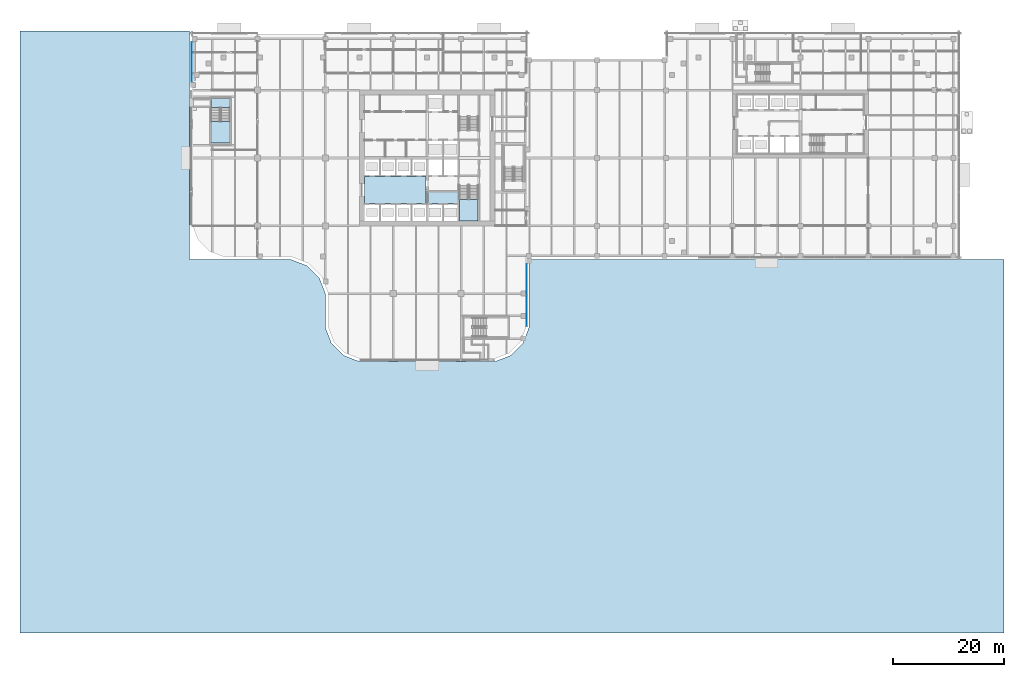
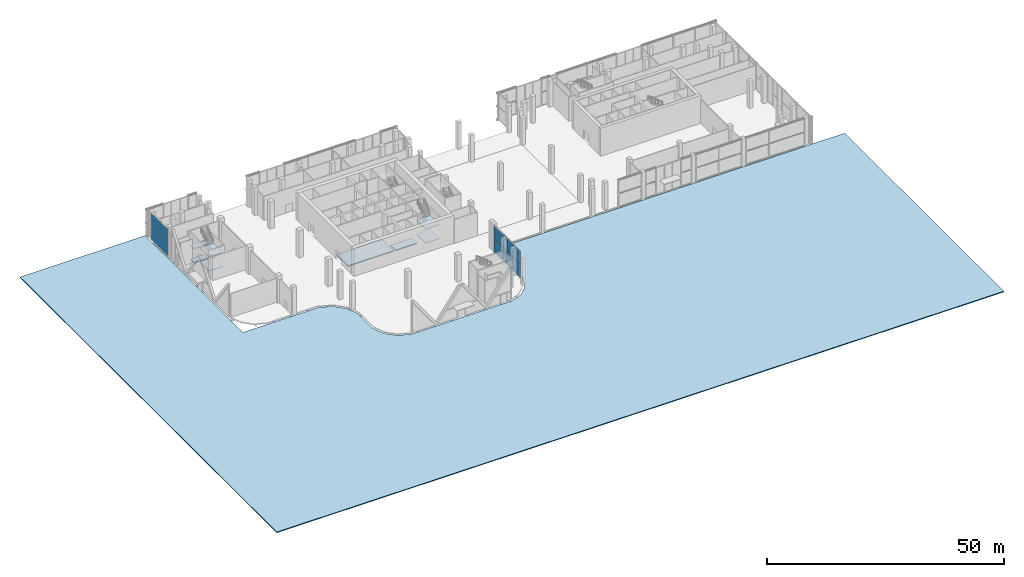
# One storey, part 13 of 36: 9 slabs, 6 plates, 4 elements without a shape of their own.
"""IFC4 building model written with IfcOpenShell, lengths in metres."""

import ifcopenshell
import ifcopenshell.guid

model = None  # the IFC model being written
_history = None  # IfcOwnerHistory: only IFC2X3 demands one
_inside = {}  # id of a spatial element -> (the spatial element, [elements in it])
_under = {}  # id of a project, library or spatial element -> (it, [spatial elements below it])
_declared = {}  # id of a project -> (the project, [libraries it declares])
_typed = {}  # id of a type object -> (the type object, [elements of that type])
_made_of = {}  # id of a material, layer set ... -> (it, [elements and type objects made of it])


def new_model(schema):
    """Start an empty IFC model of exactly this schema.

    Asked for "IFC4X3", IfcOpenShell would pick the latest addendum, in which some entities
    have other attributes; the version numbers below select the first issue.
    IFC2X3 requires an IfcOwnerHistory on every rooted entity: one is made here for all.
    """
    global model, _history
    if schema == "IFC4X3":
        model = ifcopenshell.file(schema_version=(4, 3, 0, 0))
    else:
        model = ifcopenshell.file(schema=schema)
    _inside.clear()
    _under.clear()
    _declared.clear()
    _typed.clear()
    _made_of.clear()
    _history = None
    if model.schema == "IFC2X3":
        org = make("IfcOrganization", Name="unknown")
        user = make(
            "IfcPersonAndOrganization",
            ThePerson=make("IfcPerson", FamilyName="unknown"),
            TheOrganization=org,
        )
        app = make(
            "IfcApplication",
            ApplicationDeveloper=org,
            Version="unknown",
            ApplicationFullName="unknown",
            ApplicationIdentifier="unknown",
        )
        _history = make(
            "IfcOwnerHistory",
            OwningUser=user,
            OwningApplication=app,
            ChangeAction="ADDED",
            CreationDate=0,
        )
    return model


def make(cls, **values):
    """One entity of the class cls with the attributes given. An attribute that is None is left unset."""
    return model.create_entity(
        cls, **{name: value for name, value in values.items() if value is not None}
    )


def rooted(cls, **values):
    """An entity with a GlobalId (a new one), such as an element, a storey or a relation."""
    return make(cls, GlobalId=ifcopenshell.guid.new(), OwnerHistory=_history, **values)


def si_unit(unit_type, name, prefix=None):
    """IfcSIUnit, for example si_unit("LENGTHUNIT", "METRE", prefix="MILLI")."""
    return make("IfcSIUnit", UnitType=unit_type, Prefix=prefix, Name=name)


def assignment(units):
    """IfcUnitAssignment: the units of a project."""
    return None if units is None else make("IfcUnitAssignment", Units=units)


def point(xyz):
    """IfcCartesianPoint."""
    return None if xyz is None else make("IfcCartesianPoint", Coordinates=xyz)


def direction(xyz):
    """IfcDirection."""
    return None if xyz is None else make("IfcDirection", DirectionRatios=xyz)


def frame(location, z_axis=None, x_axis=None):
    """IfcAxis2Placement3D, a coordinate frame: its origin and axes. An axis left out is left unset."""
    return make(
        "IfcAxis2Placement3D",
        Location=point(location),
        Axis=direction(z_axis),
        RefDirection=direction(x_axis),
    )


def frame_2d(location, x_axis=None):
    """IfcAxis2Placement2D, a coordinate frame in the plane: its origin and x axis."""
    return make(
        "IfcAxis2Placement2D", Location=point(location), RefDirection=direction(x_axis)
    )


def origin():
    """The frame at (0, 0, 0) with its axes left unset."""
    return frame((0.0, 0.0, 0.0))


def origin_2d():
    """The frame at (0, 0) in the plane with its x axis left unset."""
    return frame_2d((0.0, 0.0))


def place(relative_to, where):
    """IfcLocalPlacement: puts the frame where relative to a parent placement (None: the world)."""
    return make(
        "IfcLocalPlacement", PlacementRelTo=relative_to, RelativePlacement=where
    )


def context(
    kind, dimensions, precision=None, world=None, true_north=None, identifier=None
):
    """IfcGeometricRepresentationContext, for example the 3D "Model" context."""
    return make(
        "IfcGeometricRepresentationContext",
        ContextIdentifier=identifier,
        ContextType=kind,
        CoordinateSpaceDimension=dimensions,
        Precision=precision,
        WorldCoordinateSystem=world,
        TrueNorth=true_north,
    )


def subcontext(parent, identifier, kind, view, scale=None):
    """IfcGeometricRepresentationSubContext, for example "Body" below "Model"."""
    return make(
        "IfcGeometricRepresentationSubContext",
        ContextIdentifier=identifier,
        ContextType=kind,
        ParentContext=parent,
        TargetScale=scale,
        TargetView=view,
    )


def project(units=None, contexts=None):
    """IfcProject with its units and contexts."""
    return rooted(
        "IfcProject",
        Name="project",
        RepresentationContexts=contexts,
        UnitsInContext=assignment(units),
    )


def spatial(cls, under=None, at=None, **own):
    """A site, building, storey or space (cls), placed at a placement, below another one or the project."""
    s = rooted(cls, ObjectPlacement=at, **own)
    if under is not None:
        _under.setdefault(under.id(), (under, []))[1].append(s)
    return s


def polyline(points):
    """IfcPolyline through the points."""
    return make("IfcPolyline", Points=[point(p) for p in points])


def profile(cls, at=None, kind="AREA", **sizes):
    """A parametric profile (cls). Its sizes go by their IFC names, for example OverallWidth=200.0."""
    return make(cls, ProfileType=kind, Position=at, **sizes)


def rectangle(**sizes):
    """IfcRectangleProfileDef."""
    return profile("IfcRectangleProfileDef", **sizes)


def outline(outer, holes=None, kind="AREA"):
    """IfcArbitraryClosedProfileDef: a profile drawn as a closed curve; with holes, ...WithVoids."""
    if holes is None:
        return make("IfcArbitraryClosedProfileDef", ProfileType=kind, OuterCurve=outer)
    return make(
        "IfcArbitraryProfileDefWithVoids",
        ProfileType=kind,
        OuterCurve=outer,
        InnerCurves=holes,
    )


def extrude(swept, where, along, depth):
    """IfcExtrudedAreaSolid: the profile swept, set in the frame where, extruded along a direction by depth."""
    return make(
        "IfcExtrudedAreaSolid",
        SweptArea=swept,
        Position=where,
        ExtrudedDirection=direction(along),
        Depth=depth,
    )


def shape(context_of_items, identifier, shape_type, items):
    """IfcShapeRepresentation: the items that make up one representation, for example the "Body"."""
    return make(
        "IfcShapeRepresentation",
        ContextOfItems=context_of_items,
        RepresentationIdentifier=identifier,
        RepresentationType=shape_type,
        Items=items,
    )


def material(Name=None, Category=None):
    """IfcMaterial."""
    return make("IfcMaterial", Name=Name, Category=Category)


def layer(
    of_material, thickness, ventilated=None, Name=None, Category=None, Priority=None
):
    """IfcMaterialLayer: one layer of a wall or slab, of a material (None: an air gap)."""
    return make(
        "IfcMaterialLayer",
        Material=of_material,
        LayerThickness=thickness,
        IsVentilated=ventilated,
        Name=Name,
        Category=Category,
        Priority=Priority,
    )


def layer_set(layers, Name=None):
    """IfcMaterialLayerSet."""
    return make("IfcMaterialLayerSet", MaterialLayers=layers, LayerSetName=Name)


def made_of(thing, what):
    """Note that an element or type object is made of a material, layer set ...; save() writes the relation."""
    if what is not None:
        _made_of.setdefault(what.id(), (what, []))[1].append(thing)
    return thing


def type_object(cls, material=None, **own):
    """A type object (cls), such as IfcWallType, which elements share."""
    return made_of(rooted(cls, **own), material)


def element(
    cls,
    number,
    at=None,
    inside=None,
    cuts=None,
    type_object=None,
    material=None,
    context=None,
    identifier="Body",
    shape_type=None,
    held_by="IfcProductDefinitionShape",
    body=None,
    shapes=None,
    **own,
):
    """One element of the class cls, such as IfcWall. Its Tag is "e" and its number.

    at: its placement. inside: the storey or other place that contains it. cuts: it is an
    opening in that element (IfcRelVoidsElement). A single representation is given by context,
    identifier, shape_type and body (its items); several are given by shapes. held_by: the class
    of the entity that holds the representations. save() writes the other relations.
    """
    e = rooted(cls, Tag="e%d" % number, ObjectPlacement=at, **own)
    if body is not None:
        shapes = [shape(context, identifier, shape_type, body)]
    if shapes is not None:
        e.Representation = make(held_by, Representations=shapes)
    if inside is not None:
        _inside.setdefault(inside.id(), (inside, []))[1].append(e)
    if cuts is not None:
        rooted(
            "IfcRelVoidsElement", RelatingBuildingElement=cuts, RelatedOpeningElement=e
        )
    if type_object is not None:
        _typed.setdefault(type_object.id(), (type_object, []))[1].append(e)
    return made_of(e, material)


def aggregate(whole, parts):
    """IfcRelAggregates: a whole, such as a stair, and the parts it consists of."""
    return rooted("IfcRelAggregates", RelatingObject=whole, RelatedObjects=parts)


def save(model, path):
    """Write the relations noted so far, then the file.

    IfcRelAggregates (storeys below a building ...), IfcRelContainedInSpatialStructure (elements
    in a storey), IfcRelDefinesByType, IfcRelAssociatesMaterial and IfcRelDeclares: one each for
    every whole, place, type object, material and project.
    """
    for whole, parts in _under.values():
        aggregate(whole, parts)
    for where, things in _inside.values():
        rooted(
            "IfcRelContainedInSpatialStructure",
            RelatedElements=things,
            RelatingStructure=where,
        )
    for kind, things in _typed.values():
        rooted("IfcRelDefinesByType", RelatedObjects=things, RelatingType=kind)
    for what, things in _made_of.values():
        rooted("IfcRelAssociatesMaterial", RelatedObjects=things, RelatingMaterial=what)
    for by, libraries in _declared.values():
        rooted("IfcRelDeclares", RelatingContext=by, RelatedDefinitions=libraries)
    model.write(path)


model = new_model("IFC4")

# Units and contexts
model_context = context("Model", 3, precision=1e-05, world=origin(), true_north=direction((0.0, 1.0)))
body_context = subcontext(model_context, "Body", "Model", "MODEL_VIEW")
ifc_project = project(units=[si_unit("LENGTHUNIT", "METRE"), si_unit("AREAUNIT", "SQUARE_METRE"), si_unit("VOLUMEUNIT", "CUBIC_METRE"), si_unit("PLANEANGLEUNIT", "RADIAN"), si_unit("MASSUNIT", "GRAM", prefix="KILO")], contexts=[model_context])

# Site, building, storey
site_placement = place(None, origin())
site = spatial("IfcSite", under=ifc_project, at=site_placement, CompositionType="ELEMENT")
building_placement = place(site_placement, origin())
building = spatial("IfcBuilding", under=site, at=building_placement, Name="Tessera Gate Towers", CompositionType="ELEMENT")
storey_placement = place(building_placement, origin())
storey = spatial("IfcBuildingStorey", under=building, at=storey_placement, Name="L00", CompositionType="ELEMENT", Elevation=0.0)

# Slabs
ifc_material_1 = material(Name="Concrete C35/45", Category="concrete")
ifc_layer_1 = layer(ifc_material_1, 0.25)
ifc_layer_set_1 = layer_set([ifc_layer_1], Name="CORE FLOOR SLAB 250")
slab_type_1 = type_object("IfcSlabType", Name="CORE FLOOR SLAB 250", PredefinedType="FLOOR", material=ifc_layer_set_1)
slab_1_placement = place(storey_placement, frame((0.0, 0.0, -0.25)))
element("IfcSlab", 1, at=slab_1_placement, inside=storey, type_object=slab_type_1, Name="L00 core floor slab", PredefinedType="FLOOR", context=body_context, shape_type="SweptSolid", body=[
    extrude(outline(polyline([(42.449951171875, 28.425048828125), (42.449951171875, 33.27490234375), (31.39990234375, 33.27490234375), (31.39990234375, 28.425048828125), (42.449951171875, 28.425048828125)])), origin(), (0.0, 0.0, 1.0), 0.25),
])
slab_2_placement = place(storey_placement, frame((0.0, 0.0, -0.25)))
element("IfcSlab", 2, at=slab_2_placement, inside=storey, type_object=slab_type_1, Name="L00 core floor slab", PredefinedType="FLOOR", context=body_context, shape_type="SweptSolid", body=[
    extrude(outline(polyline([(42.949951171875, 30.47509765625), (42.949951171875, 28.425048828125), (48.22509765625, 28.425048828125), (48.22509765625, 30.47509765625), (42.949951171875, 30.47509765625)])), origin(), (0.0, 0.0, 1.0), 0.25),
])
slab_3_placement = place(storey_placement, frame((0.0, 0.0, -0.25)))
element("IfcSlab", 3, at=slab_3_placement, inside=storey, type_object=slab_type_1, Name="L00 ST3 floor landing", PredefinedType="FLOOR", context=body_context, shape_type="SweptSolid", body=[
    extrude(outline(polyline([(3.85009765625, 47.25), (3.85009765625, 45.64990234375), (7.25, 45.64990234375), (7.25, 47.25), (3.85009765625, 47.25)])), origin(), (0.0, 0.0, 1.0), 0.25),
])

# Stair, slabs
ifc_material_2 = material(Name="Concrete C40/50", Category="concrete")
stair_type_1 = type_object("IfcStairType", Name="EXIT STAIR ST1E 1600", PredefinedType="HALF_TURN_STAIR", material=ifc_material_2)
stair_1_placement = place(storey_placement, origin())
stair_1 = element("IfcStair", 4, at=stair_1_placement, inside=storey, type_object=stair_type_1, Name="L00 Protected Exit Stair ST1", PredefinedType="HALF_TURN_STAIR")
ifc_material_3 = material(Name="Concrete C40/50", Category="concrete")
ifc_layer_2 = layer(ifc_material_3, 0.199951171875)
ifc_layer_set_2 = layer_set([ifc_layer_2], Name="EXIT STAIR LANDING 200")
slab_type_2 = type_object("IfcSlabType", Name="EXIT STAIR LANDING 200", PredefinedType="LANDING", material=ifc_layer_set_2)
slab_4_placement = place(storey_placement, frame((0.0, 0.0, 1.60009765625)))
slab_4 = element("IfcSlab", 5, at=slab_4_placement, type_object=slab_type_2, Name="ST1 landing 1", PredefinedType="LANDING", context=body_context, shape_type="SweptSolid", body=[
    extrude(outline(polyline([(48.47509765625, 29.155029296875), (48.47509765625, 25.300048828125), (51.875, 25.300048828125), (51.875, 29.155029296875), (48.47509765625, 29.155029296875)])), origin(), (0.0, 0.0, 1.0), 0.199951171875),
])
slab_5_placement = place(storey_placement, frame((0.0, 0.0, 5.199951171875)))
slab_5 = element("IfcSlab", 6, at=slab_5_placement, type_object=slab_type_2, Name="ST1 landing 3", PredefinedType="LANDING", context=body_context, shape_type="SweptSolid", body=[
    extrude(outline(polyline([(48.47509765625, 29.155029296875), (48.47509765625, 25.300048828125), (51.875, 25.300048828125), (51.875, 29.155029296875), (48.47509765625, 29.155029296875)])), origin(), (0.0, 0.0, 1.0), 0.199951171875),
])
aggregate(stair_1, [slab_4, slab_5])

ifc_material_4 = material(Name="Concrete C40/50", Category="concrete")
stair_type_2 = type_object("IfcStairType", Name="EXIT STAIR ST3D 1600", PredefinedType="HALF_TURN_STAIR", material=ifc_material_4)
stair_2_placement = place(storey_placement, origin())
stair_2 = element("IfcStair", 7, at=stair_2_placement, inside=storey, type_object=stair_type_2, Name="L00 West Exit Stair ST3", PredefinedType="HALF_TURN_STAIR")
slab_6_placement = place(storey_placement, frame((0.0, 0.0, 1.60009765625)))
slab_6 = element("IfcSlab", 8, at=slab_6_placement, type_object=slab_type_2, Name="ST3 landing 1", PredefinedType="LANDING", context=body_context, shape_type="SweptSolid", body=[
    extrude(outline(polyline([(3.85009765625, 43.1298828125), (3.85009765625, 39.25), (7.25, 39.25), (7.25, 43.1298828125), (3.85009765625, 43.1298828125)])), origin(), (0.0, 0.0, 1.0), 0.199951171875),
])
slab_7_placement = place(storey_placement, frame((0.0, 0.0, 3.39990234375)))
slab_7 = element("IfcSlab", 9, at=slab_7_placement, type_object=slab_type_2, Name="ST3 landing 2", PredefinedType="LANDING", context=body_context, shape_type="SweptSolid", body=[
    extrude(outline(polyline([(3.85009765625, 47.25), (3.85009765625, 45.64990234375), (7.25, 45.64990234375), (7.25, 47.25), (3.85009765625, 47.25)])), origin(), (0.0, 0.0, 1.0), 0.2001953125),
])
slab_8_placement = place(storey_placement, frame((0.0, 0.0, 5.199951171875)))
slab_8 = element("IfcSlab", 10, at=slab_8_placement, type_object=slab_type_2, Name="ST3 landing 3", PredefinedType="LANDING", context=body_context, shape_type="SweptSolid", body=[
    extrude(outline(polyline([(3.85009765625, 43.1298828125), (3.85009765625, 39.25), (7.25, 39.25), (7.25, 43.1298828125), (3.85009765625, 43.1298828125)])), origin(), (0.0, 0.0, 1.0), 0.199951171875),
])
aggregate(stair_2, [slab_6, slab_7, slab_8])

# Slab
ifc_material_5 = material(Name="Concrete C30/37", Category="concrete")
ifc_layer_3 = layer(ifc_material_5, 0.199951171875)
ifc_layer_set_3 = layer_set([ifc_layer_3], Name="PLAZA PAVING 200")
slab_type_3 = type_object("IfcSlabType", Name="PLAZA PAVING 200", PredefinedType="USERDEFINED", material=ifc_layer_set_3)
slab_9_placement = place(storey_placement, frame((0.0, 0.0, -0.199951171875)))
element("IfcSlab", 11, at=slab_9_placement, inside=storey, type_object=slab_type_3, Name="Plaza paving", ObjectType="PAVING", PredefinedType="USERDEFINED", context=body_context, shape_type="SweptSolid", body=[
    extrude(outline(polyline([(-30.5, -48.800048828125), (146.39990234375, -48.800048828125), (146.39990234375, 18.300048828125), (138.699951171875, 18.300048828125), (128.10009765625, 18.300048828125), (91.5, 18.300048828125), (61.0, 18.300048828125), (61.0, 6.10009765625), (59.90234375, 3.25439453125), (57.74560546875, 1.09765625), (54.89990234375, 0.0), (30.5, 0.0), (27.654296875, 1.09765625), (25.497802734375, 3.25439453125), (24.39990234375, 6.10009765625), (24.39990234375, 12.199951171875), (23.30224609375, 15.045654296875), (21.1455078125, 17.202392578125), (18.300048828125, 18.300048828125), (6.10009765625, 18.300048828125), (0.0, 18.300048828125), (0.0, 24.39990234375), (0.0, 48.800048828125), (0.0, 59.39990234375), (-30.5, 59.39990234375), (-30.5, 18.300048828125), (-30.5, -48.800048828125)])), origin(), (0.0, 0.0, 1.0), 0.199951171875),
])

# Curtain wall, plates
ifc_material_6 = material(Name="Aluminium frame", Category="aluminium")
curtain_wall_type = type_object("IfcCurtainWallType", Name="CW-S6 ground floor glazing", PredefinedType="NOTDEFINED", material=ifc_material_6)
curtain_wall_1_placement = place(storey_placement, origin())
curtain_wall_1 = element("IfcCurtainWall", 12, at=curtain_wall_1_placement, inside=storey, type_object=curtain_wall_type, Name="Curtain wall ground floor glazing 0147", PredefinedType="NOTDEFINED")
ifc_material_7 = material(Name="Low-e laminated glass", Category="glass")
ifc_layer_4 = layer(ifc_material_7, 0.035888671875)
ifc_layer_set_4 = layer_set([ifc_layer_4], Name="PN-S6 glass panel 36")
plate_type = type_object("IfcPlateType", Name="PN-S6 glass panel 36", PredefinedType="CURTAIN_PANEL", material=ifc_layer_set_4)
plate_1_placement = place(storey_placement, frame((60.60009765625, 9.1298828125, 0.080078125), z_axis=(0.0, 0.0, 1.0), x_axis=(0.0, 1.0, 0.0)))
plate_1 = element("IfcPlate", 13, at=plate_1_placement, type_object=plate_type, Name="PD-CW6-0147 panel 1.1", PredefinedType="CURTAIN_PANEL", context=body_context, shape_type="SweptSolid", body=[
    extrude(rectangle(XDim=5.546875, YDim=0.035888671875, at=origin_2d()), origin(), (0.0, 0.0, 1.0), 3.35498046875),
])
plate_2_placement = place(storey_placement, frame((60.60009765625, 9.1298828125, 3.514892578125), z_axis=(0.0, 0.0, 1.0), x_axis=(0.0, 1.0, 0.0)))
plate_2 = element("IfcPlate", 14, at=plate_2_placement, type_object=plate_type, Name="PD-CW6-0147 panel 1.2", PredefinedType="CURTAIN_PANEL", context=body_context, shape_type="SweptSolid", body=[
    extrude(rectangle(XDim=5.546875, YDim=0.035888671875, at=origin_2d()), origin(), (0.0, 0.0, 1.0), 3.35498046875),
])
plate_3_placement = place(storey_placement, frame((60.60009765625, 14.756591796875, 0.080078125), z_axis=(0.0, 0.0, 1.0), x_axis=(0.0, 1.0, 0.0)))
plate_3 = element("IfcPlate", 15, at=plate_3_placement, type_object=plate_type, Name="PD-CW6-0147 panel 2.1", PredefinedType="CURTAIN_PANEL", context=body_context, shape_type="SweptSolid", body=[
    extrude(rectangle(XDim=5.546875, YDim=0.035888671875, at=origin_2d()), origin(), (0.0, 0.0, 1.0), 3.35498046875),
])
plate_4_placement = place(storey_placement, frame((60.60009765625, 14.756591796875, 3.514892578125), z_axis=(0.0, 0.0, 1.0), x_axis=(0.0, 1.0, 0.0)))
plate_4 = element("IfcPlate", 16, at=plate_4_placement, type_object=plate_type, Name="PD-CW6-0147 panel 2.2", PredefinedType="CURTAIN_PANEL", context=body_context, shape_type="SweptSolid", body=[
    extrude(rectangle(XDim=5.546875, YDim=0.035888671875, at=origin_2d()), origin(), (0.0, 0.0, 1.0), 3.35498046875),
])
aggregate(curtain_wall_1, [plate_1, plate_2, plate_3, plate_4])

curtain_wall_2_placement = place(storey_placement, origin())
curtain_wall_2 = element("IfcCurtainWall", 17, at=curtain_wall_2_placement, inside=storey, type_object=curtain_wall_type, Name="Curtain wall ground floor glazing 0213", PredefinedType="NOTDEFINED")
plate_5_placement = place(storey_placement, frame((0.39990234375, 53.860107421875, 0.080078125), z_axis=(0.0, 0.0, 1.0), x_axis=(0.0, -1.0, 0.0)))
plate_5 = element("IfcPlate", 18, at=plate_5_placement, type_object=plate_type, Name="PD-CW6-0213 panel 1.1", PredefinedType="CURTAIN_PANEL", context=body_context, shape_type="SweptSolid", body=[
    extrude(rectangle(XDim=7.139892578125, YDim=0.035888671875, at=origin_2d()), origin(), (0.0, 0.0, 1.0), 3.35498046875),
])
plate_6_placement = place(storey_placement, frame((0.39990234375, 53.860107421875, 3.514892578125), z_axis=(0.0, 0.0, 1.0), x_axis=(0.0, -1.0, 0.0)))
plate_6 = element("IfcPlate", 19, at=plate_6_placement, type_object=plate_type, Name="PD-CW6-0213 panel 1.2", PredefinedType="CURTAIN_PANEL", context=body_context, shape_type="SweptSolid", body=[
    extrude(rectangle(XDim=7.139892578125, YDim=0.035888671875, at=origin_2d()), origin(), (0.0, 0.0, 1.0), 3.35498046875),
])
aggregate(curtain_wall_2, [plate_5, plate_6])

save(model, "model.ifc")
